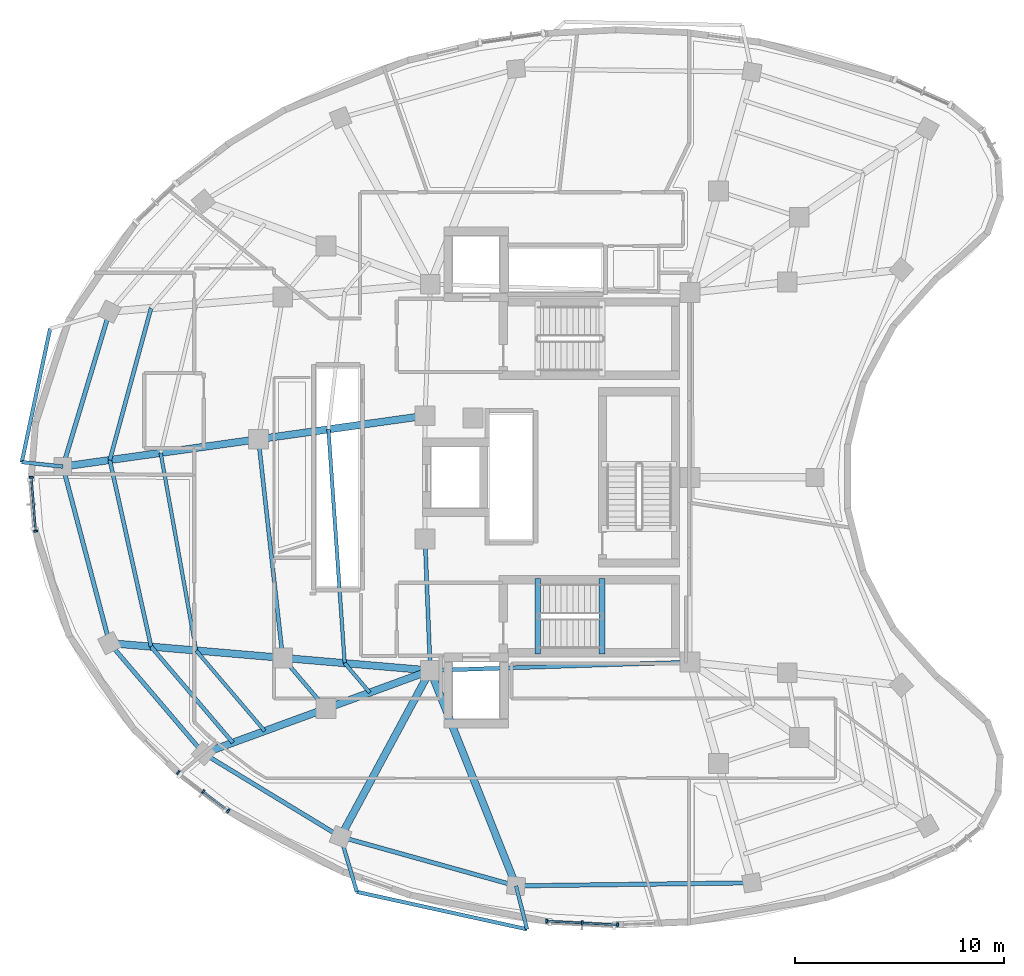
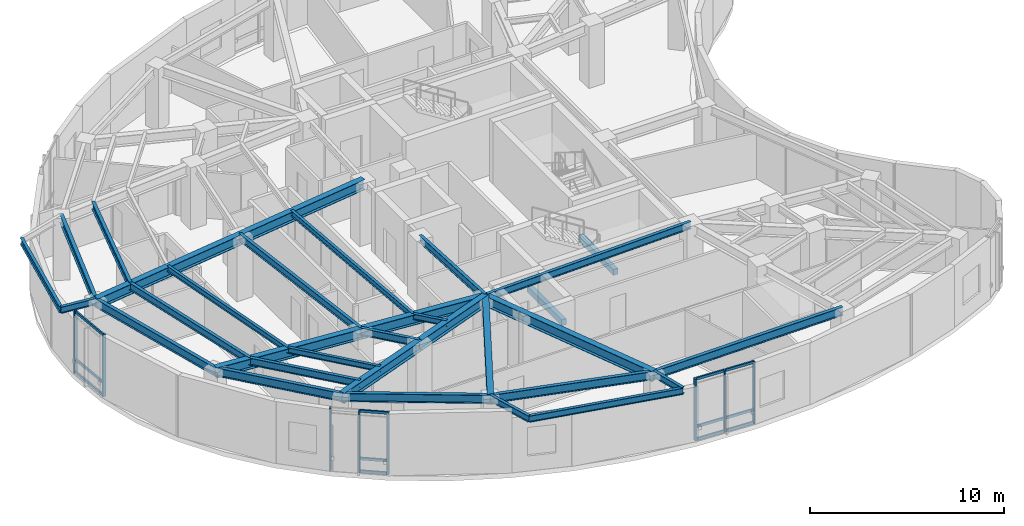
# One storey, part 2 of 13: 32 beams, 20 members, 3 elements without a shape of their own.
"""IFC4 building model written with IfcOpenShell, lengths in metres."""

from ifc_helpers import new_model, si_unit, direction, frame, origin, origin_2d, place, context, subcontext, project, spatial, rectangle, i_section, extrude, material, layer, layer_set, material_profile, profile_set, type_object, element, aggregate, save


model = new_model("IFC4")

# Units and contexts
model_context = context("Model", 3, precision=1e-05, world=origin(), true_north=direction((0.0, 1.0)))
body_context = subcontext(model_context, "Body", "Model", "MODEL_VIEW")
ifc_project = project(units=[si_unit("LENGTHUNIT", "METRE"), si_unit("AREAUNIT", "SQUARE_METRE"), si_unit("VOLUMEUNIT", "CUBIC_METRE"), si_unit("PLANEANGLEUNIT", "RADIAN"), si_unit("MASSUNIT", "GRAM", prefix="KILO")], contexts=[model_context])

# Site, building, storey
site_placement = place(None, origin())
site = spatial("IfcSite", under=ifc_project, at=site_placement, CompositionType="ELEMENT")
building_placement = place(site_placement, origin())
building = spatial("IfcBuilding", under=site, at=building_placement, Name="Korentha Bioscience Tower", CompositionType="ELEMENT")
storey_placement = place(building_placement, frame((0.0, 0.0, 243.60009765625)))
storey = spatial("IfcBuildingStorey", under=building, at=storey_placement, Name="L56", CompositionType="ELEMENT", Elevation=243.60009765625)

# Beams
ifc_material_1 = material(Name="Concrete C50", Category="concrete")
ifc_material_profile_1 = material_profile(ifc_material_1, rectangle(XDim=0.280029296875, YDim=0.3798828125, at=origin_2d()), Name="Concrete C50")
ifc_profile_set_1 = profile_set([ifc_material_profile_1], Name="Concrete C50 (ST-HB380)")
beam_type_1 = type_object("IfcBeamType", Name="Concrete Stair Header Beam RC 280x380", PredefinedType="BEAM", material=ifc_profile_set_1)
for number, where, z_axis, x_axis, name in (
    (1, (30.25, 18.550048828125, -0.190185546875), (0.0, 1.0, 0.0), (-1.0, 0.0, 0.0), "L56 ST-2 Concrete Stair Header Beam"),
    (2, (33.330078125, 18.550048828125, 1.909912109375), (0.0, 1.0, 0.0), (-1.0, 0.0, 0.0), "L56 ST-2 Half-Landing Header Beam 1"),
):
    element("IfcBeam", number, at=place(storey_placement, frame(where, z_axis=z_axis, x_axis=x_axis)), inside=storey, type_object=beam_type_1, Name=name, PredefinedType="BEAM", context=body_context, shape_type="SweptSolid", body=[
        extrude(rectangle(XDim=0.280029296875, YDim=0.3798828125, at=origin_2d()), origin(), (0.0, 0.0, 1.0), 3.599853515625),
    ])
ifc_material_2 = material(Name="Steel S355", Category="steel")
ifc_material_profile_2 = material_profile(ifc_material_2, i_section(OverallWidth=0.18994140625, OverallDepth=0.45703125, WebThickness=0.009033203125, FlangeThickness=0.014404296875, at=origin_2d()), Name="Steel S355")
ifc_profile_set_2 = profile_set([ifc_material_profile_2], Name="Steel S355 (MB-460)")
beam_type_2 = type_object("IfcBeamType", Name="Mid-Ring Tie Girder W460x74", PredefinedType="BEAM", material=ifc_profile_set_2)
beam_1_placement = place(storey_placement, frame((16.868408203125, 28.830322265625, 3.67138671875), z_axis=(0.110304435267, -0.993897847649, 0.0), x_axis=(0.993897847649, 0.110304435267, 0.0)))
element("IfcBeam", 3, at=beam_1_placement, inside=storey, type_object=beam_type_2, Name="L56 Mid-Ring Tie Girder 07", PredefinedType="BEAM", context=body_context, shape_type="SweptSolid", body=[
    extrude(i_section(OverallWidth=0.18994140625, OverallDepth=0.45703125, WebThickness=0.009033203125, FlangeThickness=0.014404296875, at=origin_2d()), origin(), (0.0, 0.0, 1.0), 10.5419921875),
])
beam_2_placement = place(storey_placement, frame((18.03125, 18.3525390625, 3.67138671875), z_axis=(0.648477940418, -0.761233446974, 0.0), x_axis=(0.761233446974, 0.648477940418, 0.0)))
element("IfcBeam", 4, at=beam_2_placement, inside=storey, type_object=beam_type_2, Name="L56 Mid-Ring Tie Girder 08", PredefinedType="BEAM", context=body_context, shape_type="SweptSolid", body=[
    extrude(i_section(OverallWidth=0.18994140625, OverallDepth=0.45703125, WebThickness=0.009033203125, FlangeThickness=0.014404296875, at=origin_2d()), origin(), (0.0, 0.0, 1.0), 3.193603515625),
])
beam_3_placement = place(storey_placement, frame((24.85009765625, 24.050048828125, 3.67138671875), z_axis=(0.039651025576, -0.999213588864, 0.0), x_axis=(0.999213588864, 0.039651025576, 0.0)))
element("IfcBeam", 5, at=beam_3_placement, inside=storey, type_object=beam_type_2, Name="L56 Core Ring Tie Girder 04", PredefinedType="BEAM", context=body_context, shape_type="SweptSolid", body=[
    extrude(i_section(OverallWidth=0.18994140625, OverallDepth=0.45703125, WebThickness=0.009033203125, FlangeThickness=0.014404296875, at=origin_2d()), origin(), (0.0, 0.0, 1.0), 6.304931640625),
])
beam_4_placement = place(storey_placement, frame((25.10009765625, 17.75, 3.67138671875), z_axis=(0.999484526071, 0.032104238723, 0.0), x_axis=(-0.032104238723, 0.999484526071, 0.0)))
element("IfcBeam", 6, at=beam_4_placement, inside=storey, type_object=beam_type_2, Name="L56 Core Ring Tie Girder 05", PredefinedType="BEAM", context=body_context, shape_type="SweptSolid", body=[
    extrude(i_section(OverallWidth=0.18994140625, OverallDepth=0.45703125, WebThickness=0.009033203125, FlangeThickness=0.014404296875, at=origin_2d()), origin(), (0.0, 0.0, 1.0), 12.456298828125),
])

# Curtain wall, members
ifc_material_3 = material(Name="Thermally Broken Aluminium Frame", Category="aluminium")
ifc_layer = layer(ifc_material_3, 0.219970703125, Name="Thermally Broken Aluminium Frame")
ifc_layer_set = layer_set([ifc_layer], Name="Thermally Broken Aluminium Frame (CW-T2)")
curtain_wall_type = type_object("IfcCurtainWallType", Name="Solar-Screened Lab Unitised Curtain Wall CW-T2", PredefinedType="USERDEFINED", material=ifc_layer_set)
curtain_wall_1_placement = place(storey_placement, origin())
curtain_wall_1 = element("IfcCurtainWall", 7, at=curtain_wall_1_placement, inside=storey, type_object=curtain_wall_type, Name="L56 Curtain Wall 19", ObjectType="UNITISED", PredefinedType="USERDEFINED")
ifc_material_4 = material(Name="Anodised Aluminium 6063-T6", Category="aluminium")
ifc_material_profile_3 = material_profile(ifc_material_4, rectangle(XDim=0.090087890625, YDim=0.199951171875, at=origin_2d()), Name="Anodised Aluminium 6063-T6")
ifc_profile_set_3 = profile_set([ifc_material_profile_3], Name="Anodised Aluminium 6063-T6 (CW-MUL)")
member_type_1 = type_object("IfcMemberType", Name="Mullion RECT 90x200", PredefinedType="MULLION", material=ifc_profile_set_3)
member_1_placement = place(storey_placement, frame((5.992919921875, 27.0078125, 0.0), z_axis=(0.0, 0.0, 1.0), x_axis=(0.079117478884, -0.996865299093, 0.0)))
member_1 = element("IfcMember", 8, at=member_1_placement, type_object=member_type_1, Name="CW-L56-19 Mullion 1", PredefinedType="MULLION", context=body_context, shape_type="SweptSolid", body=[
    extrude(rectangle(XDim=0.090087890625, YDim=0.199951171875, at=origin_2d()), origin(), (0.0, 0.0, 1.0), 3.89990234375),
])
member_2_placement = place(storey_placement, frame((6.197509765625, 24.427490234375, 0.0), z_axis=(0.0, 0.0, 1.0), x_axis=(0.079117478884, -0.996865299093, 0.0)))
member_2 = element("IfcMember", 9, at=member_2_placement, type_object=member_type_1, Name="CW-L56-19 Mullion 2", PredefinedType="MULLION", context=body_context, shape_type="SweptSolid", body=[
    extrude(rectangle(XDim=0.090087890625, YDim=0.199951171875, at=origin_2d()), origin(), (0.0, 0.0, 1.0), 3.89990234375),
])

curtain_wall_2_placement = place(storey_placement, origin())
curtain_wall_2 = element("IfcCurtainWall", 10, at=curtain_wall_2_placement, inside=storey, type_object=curtain_wall_type, Name="L56 Curtain Wall 25", ObjectType="UNITISED", PredefinedType="USERDEFINED")
member_3_placement = place(storey_placement, frame((13.0244140625, 12.862548828125, 0.0), z_axis=(0.0, 0.0, 1.0), x_axis=(0.794382455982, -0.607417906904, 0.0)))
member_3 = element("IfcMember", 11, at=member_3_placement, type_object=member_type_1, Name="CW-L56-25 Mullion 1", PredefinedType="MULLION", context=body_context, shape_type="SweptSolid", body=[
    extrude(rectangle(XDim=0.090087890625, YDim=0.199951171875, at=origin_2d()), origin(), (0.0, 0.0, 1.0), 3.89990234375),
])
member_4_placement = place(storey_placement, frame((14.224853515625, 11.944580078125, 0.0), z_axis=(0.0, 0.0, 1.0), x_axis=(0.794382455982, -0.607417906904, 0.0)))
member_4 = element("IfcMember", 12, at=member_4_placement, type_object=member_type_1, Name="CW-L56-25 Mullion 2", PredefinedType="MULLION", context=body_context, shape_type="SweptSolid", body=[
    extrude(rectangle(XDim=0.090087890625, YDim=0.199951171875, at=origin_2d()), origin(), (0.0, 0.0, 1.0), 3.89990234375),
])
member_5_placement = place(storey_placement, frame((15.42529296875, 11.026611328125, 0.0), z_axis=(0.0, 0.0, 1.0), x_axis=(0.794382455982, -0.607417906904, 0.0)))
member_5 = element("IfcMember", 13, at=member_5_placement, type_object=member_type_1, Name="CW-L56-25 Mullion 3", PredefinedType="MULLION", context=body_context, shape_type="SweptSolid", body=[
    extrude(rectangle(XDim=0.090087890625, YDim=0.199951171875, at=origin_2d()), origin(), (0.0, 0.0, 1.0), 3.89990234375),
])

curtain_wall_3_placement = place(storey_placement, origin())
curtain_wall_3 = element("IfcCurtainWall", 14, at=curtain_wall_3_placement, inside=storey, type_object=curtain_wall_type, Name="L56 Curtain Wall 31", ObjectType="UNITISED", PredefinedType="USERDEFINED")
member_6_placement = place(storey_placement, frame((30.67431640625, 5.7421875, 0.0), z_axis=(0.0, 0.0, 1.0), x_axis=(0.998671032258, -0.051538037689, 0.0)))
member_6 = element("IfcMember", 15, at=member_6_placement, type_object=member_type_1, Name="CW-L56-31 Mullion 1", PredefinedType="MULLION", context=body_context, shape_type="SweptSolid", body=[
    extrude(rectangle(XDim=0.090087890625, YDim=0.199951171875, at=origin_2d()), origin(), (0.0, 0.0, 1.0), 3.89990234375),
])
member_7_placement = place(storey_placement, frame((32.37548828125, 5.654296875, 0.0), z_axis=(0.0, 0.0, 1.0), x_axis=(0.998671032258, -0.051538037689, 0.0)))
member_7 = element("IfcMember", 16, at=member_7_placement, type_object=member_type_1, Name="CW-L56-31 Mullion 2", PredefinedType="MULLION", context=body_context, shape_type="SweptSolid", body=[
    extrude(rectangle(XDim=0.090087890625, YDim=0.199951171875, at=origin_2d()), origin(), (0.0, 0.0, 1.0), 3.89990234375),
])
member_8_placement = place(storey_placement, frame((34.076416015625, 5.566650390625, 0.0), z_axis=(0.0, 0.0, 1.0), x_axis=(0.998671032258, -0.051538037689, 0.0)))
member_8 = element("IfcMember", 17, at=member_8_placement, type_object=member_type_1, Name="CW-L56-31 Mullion 3", PredefinedType="MULLION", context=body_context, shape_type="SweptSolid", body=[
    extrude(rectangle(XDim=0.090087890625, YDim=0.199951171875, at=origin_2d()), origin(), (0.0, 0.0, 1.0), 3.89990234375),
])

# Beams
ifc_material_profile_4 = material_profile(ifc_material_2, i_section(OverallWidth=0.208984375, OverallDepth=0.532958984375, WebThickness=0.01025390625, FlangeThickness=0.015625, at=origin_2d()), Name="Steel S355")
ifc_profile_set_4 = profile_set([ifc_material_profile_4], Name="Steel S355 (SB-530)")
beam_type_3 = type_object("IfcBeamType", Name="Perimeter Ring Spandrel Girder W530x92", PredefinedType="SPANDREL", material=ifc_profile_set_4)
beam_5_placement = place(storey_placement, frame((9.7333984375, 34.93994140625, 3.63330078125), z_axis=(-0.288202931469, -0.957569355343, 0.0), x_axis=(0.957569355343, -0.288202931469, 0.0)))
element("IfcBeam", 18, at=beam_5_placement, inside=storey, type_object=beam_type_3, Name="L56 Perimeter Spandrel Girder 06", PredefinedType="SPANDREL", context=body_context, shape_type="SweptSolid", body=[
    extrude(i_section(OverallWidth=0.208984375, OverallDepth=0.532958984375, WebThickness=0.01025390625, FlangeThickness=0.015625, at=origin_2d()), origin(), (0.0, 0.0, 1.0), 7.752685546875),
])
beam_6_placement = place(storey_placement, frame((7.4990234375, 27.51611328125, 3.63330078125), z_axis=(0.255465954873, -0.966818052118, 0.0), x_axis=(0.966818052118, 0.255465954873, 0.0)))
element("IfcBeam", 19, at=beam_6_placement, inside=storey, type_object=beam_type_3, Name="L56 Perimeter Spandrel Girder 07", PredefinedType="SPANDREL", context=body_context, shape_type="SweptSolid", body=[
    extrude(i_section(OverallWidth=0.208984375, OverallDepth=0.532958984375, WebThickness=0.01025390625, FlangeThickness=0.015625, at=origin_2d()), origin(), (0.0, 0.0, 1.0), 8.746337890625),
])
beam_7_placement = place(storey_placement, frame((9.7333984375, 19.06005859375, 3.63330078125), z_axis=(0.648430983047, -0.76127344642, 0.0), x_axis=(0.76127344642, 0.648430983047, 0.0)))
element("IfcBeam", 20, at=beam_7_placement, inside=storey, type_object=beam_type_3, Name="L56 Perimeter Spandrel Girder 08", PredefinedType="SPANDREL", context=body_context, shape_type="SweptSolid", body=[
    extrude(i_section(OverallWidth=0.208984375, OverallDepth=0.532958984375, WebThickness=0.01025390625, FlangeThickness=0.015625, at=origin_2d()), origin(), (0.0, 0.0, 1.0), 6.94287109375),
])
beam_8_placement = place(storey_placement, frame((14.2353515625, 13.774658203125, 3.63330078125), z_axis=(0.854346933574, -0.519703104755, 0.0), x_axis=(0.519703104755, 0.854346933574, 0.0)))
element("IfcBeam", 21, at=beam_8_placement, inside=storey, type_object=beam_type_3, Name="L56 Perimeter Spandrel Girder 09", PredefinedType="SPANDREL", context=body_context, shape_type="SweptSolid", body=[
    extrude(i_section(OverallWidth=0.208984375, OverallDepth=0.532958984375, WebThickness=0.01025390625, FlangeThickness=0.015625, at=origin_2d()), origin(), (0.0, 0.0, 1.0), 7.687255859375),
])
beam_9_placement = place(storey_placement, frame((20.802978515625, 9.779541015625, 3.63330078125), z_axis=(0.963069388381, -0.269253325258, 0.0), x_axis=(0.269253325258, 0.963069388381, 0.0)))
element("IfcBeam", 22, at=beam_9_placement, inside=storey, type_object=beam_type_3, Name="L56 Perimeter Spandrel Girder 10", PredefinedType="SPANDREL", context=body_context, shape_type="SweptSolid", body=[
    extrude(i_section(OverallWidth=0.208984375, OverallDepth=0.532958984375, WebThickness=0.01025390625, FlangeThickness=0.015625, at=origin_2d()), origin(), (0.0, 0.0, 1.0), 8.72900390625),
])
beam_10_placement = place(storey_placement, frame((29.209716796875, 7.42919921875, 3.63330078125), z_axis=(0.999915413236, 0.013006397415, 0.0), x_axis=(-0.013006397415, 0.999915413236, 0.0)))
element("IfcBeam", 23, at=beam_10_placement, inside=storey, type_object=beam_type_3, Name="L56 Perimeter Spandrel Girder 11", PredefinedType="SPANDREL", context=body_context, shape_type="SweptSolid", body=[
    extrude(i_section(OverallWidth=0.208984375, OverallDepth=0.532958984375, WebThickness=0.01025390625, FlangeThickness=0.015625, at=origin_2d()), origin(), (0.0, 0.0, 1.0), 11.300048828125),
])
ifc_material_profile_5 = material_profile(ifc_material_2, i_section(OverallWidth=0.18994140625, OverallDepth=0.45703125, WebThickness=0.009033203125, FlangeThickness=0.014404296875, at=origin_2d()), Name="Steel S355")
ifc_profile_set_5 = profile_set([ifc_material_profile_5], Name="Steel S355 (RB-460)")
beam_type_4 = type_object("IfcBeamType", Name="Radial Laboratory Beam W460x74", PredefinedType="BEAM", material=ifc_profile_set_5)
beam_11_placement = place(storey_placement, frame((11.724853515625, 35.109619140625, 3.67138671875), z_axis=(-0.262144880331, -0.965028528965, 0.0), x_axis=(0.965028528965, -0.262144880331, 0.0)))
element("IfcBeam", 24, at=beam_11_placement, inside=storey, type_object=beam_type_4, Name="L56 Secondary Floor Beam JSTO-06", PredefinedType="BEAM", context=body_context, shape_type="SweptSolid", body=[
    extrude(i_section(OverallWidth=0.18994140625, OverallDepth=0.45703125, WebThickness=0.009033203125, FlangeThickness=0.014404296875, at=origin_2d()), origin(), (0.0, 0.0, 1.0), 7.541748046875),
])
beam_12_placement = place(storey_placement, frame((9.747802734375, 27.83154296875, 3.67138671875), z_axis=(0.215902781795, -0.976414865113, 0.0), x_axis=(0.976414865113, 0.215902781795, 0.0)))
element("IfcBeam", 25, at=beam_12_placement, inside=storey, type_object=beam_type_4, Name="L56 Secondary Floor Beam JSTO-07", PredefinedType="BEAM", context=body_context, shape_type="SweptSolid", body=[
    extrude(i_section(OverallWidth=0.18994140625, OverallDepth=0.45703125, WebThickness=0.009033203125, FlangeThickness=0.014404296875, at=origin_2d()), origin(), (0.0, 0.0, 1.0), 9.1572265625),
])
beam_13_placement = place(storey_placement, frame((11.724853515625, 18.890380859375, 3.67138671875), z_axis=(0.64841269497, -0.761289023303, 0.0), x_axis=(0.761289023303, 0.64841269497, 0.0)))
element("IfcBeam", 26, at=beam_13_placement, inside=storey, type_object=beam_type_4, Name="L56 Secondary Floor Beam JSTO-08", PredefinedType="BEAM", context=body_context, shape_type="SweptSolid", body=[
    extrude(i_section(OverallWidth=0.18994140625, OverallDepth=0.45703125, WebThickness=0.009033203125, FlangeThickness=0.014404296875, at=origin_2d()), origin(), (0.0, 0.0, 1.0), 6.043212890625),
])
ifc_material_profile_6 = material_profile(ifc_material_2, i_section(OverallWidth=0.35009765625, OverallDepth=0.64990234375, WebThickness=0.01611328125, FlangeThickness=0.02490234375, at=origin_2d()), Name="Steel S355")
ifc_profile_set_6 = profile_set([ifc_material_profile_6], Name="Steel S355 (RB-650)")
beam_type_5 = type_object("IfcBeamType", Name="Radial Laboratory Girder CVS 650x208", PredefinedType="BEAM", material=ifc_profile_set_6)
beam_14_placement = place(storey_placement, frame((24.85009765625, 29.949951171875, 3.574951171875), z_axis=(-0.990304360925, -0.138914623901, 0.0), x_axis=(0.138914623901, -0.990304360925, 0.0)))
element("IfcBeam", 27, at=beam_14_placement, inside=storey, type_object=beam_type_5, Name="L56 Inner Radial Girder 07", PredefinedType="BEAM", context=body_context, shape_type="SweptSolid", body=[
    extrude(i_section(OverallWidth=0.35009765625, OverallDepth=0.64990234375, WebThickness=0.01611328125, FlangeThickness=0.02490234375, at=origin_2d()), origin(), (0.0, 0.0, 1.0), 8.059814453125),
])
beam_15_placement = place(storey_placement, frame((16.868408203125, 28.830322265625, 3.574951171875), z_axis=(-0.990305501334, -0.138906493829, 0.0), x_axis=(0.138906493829, -0.990305501334, 0.0)))
element("IfcBeam", 28, at=beam_15_placement, inside=storey, type_object=beam_type_5, Name="L56 Outer Radial Girder 07", PredefinedType="BEAM", context=body_context, shape_type="SweptSolid", body=[
    extrude(i_section(OverallWidth=0.35009765625, OverallDepth=0.64990234375, WebThickness=0.01611328125, FlangeThickness=0.02490234375, at=origin_2d()), origin(), (0.0, 0.0, 1.0), 9.461181640625),
])
beam_16_placement = place(storey_placement, frame((25.10009765625, 17.75, 3.574951171875), z_axis=(-0.996386862802, 0.084930675464, 0.0), x_axis=(-0.084930675464, -0.996386862802, 0.0)))
element("IfcBeam", 29, at=beam_16_placement, inside=storey, type_object=beam_type_5, Name="L56 Inner Radial Girder 08", PredefinedType="BEAM", context=body_context, shape_type="SweptSolid", body=[
    extrude(i_section(OverallWidth=0.35009765625, OverallDepth=0.64990234375, WebThickness=0.01611328125, FlangeThickness=0.02490234375, at=origin_2d()), origin(), (0.0, 0.0, 1.0), 7.094482421875),
])
beam_17_placement = place(storey_placement, frame((18.03125, 18.3525390625, 3.574951171875), z_axis=(-0.996384608351, 0.084957120013, 0.0), x_axis=(-0.084957120013, -0.996384608351, 0.0)))
element("IfcBeam", 30, at=beam_17_placement, inside=storey, type_object=beam_type_5, Name="L56 Outer Radial Girder 08", PredefinedType="BEAM", context=body_context, shape_type="SweptSolid", body=[
    extrude(i_section(OverallWidth=0.35009765625, OverallDepth=0.64990234375, WebThickness=0.01611328125, FlangeThickness=0.02490234375, at=origin_2d()), origin(), (0.0, 0.0, 1.0), 8.327880859375),
])
beam_18_placement = place(storey_placement, frame((25.10009765625, 17.75, 3.574951171875), z_axis=(-0.939113825958, -0.34360620177, 0.0), x_axis=(0.34360620177, -0.939113825958, 0.0)))
element("IfcBeam", 31, at=beam_18_placement, inside=storey, type_object=beam_type_5, Name="L56 Inner Radial Girder 09", PredefinedType="BEAM", context=body_context, shape_type="SweptSolid", body=[
    extrude(i_section(OverallWidth=0.35009765625, OverallDepth=0.64990234375, WebThickness=0.01611328125, FlangeThickness=0.02490234375, at=origin_2d()), origin(), (0.0, 0.0, 1.0), 5.32177734375),
])
beam_19_placement = place(storey_placement, frame((20.102294921875, 15.92138671875, 3.574951171875), z_axis=(-0.939108088977, -0.343621881169, 0.0), x_axis=(0.343621881169, -0.939108088977, 0.0)))
element("IfcBeam", 32, at=beam_19_placement, inside=storey, type_object=beam_type_5, Name="L56 Outer Radial Girder 09", PredefinedType="BEAM", context=body_context, shape_type="SweptSolid", body=[
    extrude(i_section(OverallWidth=0.35009765625, OverallDepth=0.64990234375, WebThickness=0.01611328125, FlangeThickness=0.02490234375, at=origin_2d()), origin(), (0.0, 0.0, 1.0), 6.247314453125),
])
beam_20_placement = place(storey_placement, frame((25.10009765625, 17.75, 3.574951171875), z_axis=(-0.47455638006, -0.88022510879, 0.0), x_axis=(0.88022510879, -0.47455638006, 0.0)))
element("IfcBeam", 33, at=beam_20_placement, inside=storey, type_object=beam_type_5, Name="L56 Radial Girder 10", PredefinedType="BEAM", context=body_context, shape_type="SweptSolid", body=[
    extrude(i_section(OverallWidth=0.35009765625, OverallDepth=0.64990234375, WebThickness=0.01611328125, FlangeThickness=0.02490234375, at=origin_2d()), origin(), (0.0, 0.0, 1.0), 9.054931640625),
])
beam_21_placement = place(storey_placement, frame((25.10009765625, 17.75, 3.574951171875), z_axis=(0.369938982304, -0.929056052869, 0.0), x_axis=(0.929056052869, 0.369938982304, 0.0)))
element("IfcBeam", 34, at=beam_21_placement, inside=storey, type_object=beam_type_5, Name="L56 Radial Girder 11", PredefinedType="BEAM", context=body_context, shape_type="SweptSolid", body=[
    extrude(i_section(OverallWidth=0.35009765625, OverallDepth=0.64990234375, WebThickness=0.01611328125, FlangeThickness=0.02490234375, at=origin_2d()), origin(), (0.0, 0.0, 1.0), 11.10888671875),
])
ifc_material_profile_7 = material_profile(ifc_material_2, i_section(OverallWidth=0.1708984375, OverallDepth=0.35498046875, WebThickness=0.007080078125, FlangeThickness=0.01171875, at=origin_2d()), Name="Steel S355")
ifc_profile_set_7 = profile_set([ifc_material_profile_7], Name="Steel S355 (JB-360)")
beam_type_6 = type_object("IfcBeamType", Name="Secondary Laboratory Joist W360x51", PredefinedType="JOIST", material=ifc_profile_set_7)
beam_22_placement = place(storey_placement, frame((12.18359375, 28.17333984375, 3.722412109375), z_axis=(0.176615511364, -0.984279920117, 0.0), x_axis=(0.984279920117, 0.176615511364, 0.0)))
element("IfcBeam", 35, at=beam_22_placement, inside=storey, type_object=beam_type_6, Name="L56 Secondary Floor Beam JST-07", PredefinedType="JOIST", context=body_context, shape_type="SweptSolid", body=[
    extrude(i_section(OverallWidth=0.1708984375, OverallDepth=0.35498046875, WebThickness=0.007080078125, FlangeThickness=0.01171875, at=origin_2d()), origin(), (0.0, 0.0, 1.0), 9.6181640625),
])
beam_23_placement = place(storey_placement, frame((20.220703125, 29.300537109375, 3.722412109375), z_axis=(0.069428172823, -0.997586953011, 0.0), x_axis=(0.997586953011, 0.069428172823, 0.0)))
element("IfcBeam", 36, at=beam_23_placement, inside=storey, type_object=beam_type_6, Name="L56 Inner Bay Joist 07", PredefinedType="JOIST", context=body_context, shape_type="SweptSolid", body=[
    extrude(i_section(OverallWidth=0.1708984375, OverallDepth=0.35498046875, WebThickness=0.007080078125, FlangeThickness=0.01171875, at=origin_2d()), origin(), (0.0, 0.0, 1.0), 11.22802734375),
])
beam_24_placement = place(storey_placement, frame((13.88232421875, 18.706298828125, 3.722412109375), z_axis=(0.648419930644, -0.761282860404, 0.0), x_axis=(0.761282860404, 0.648419930644, 0.0)))
element("IfcBeam", 37, at=beam_24_placement, inside=storey, type_object=beam_type_6, Name="L56 Secondary Floor Beam JST-08", PredefinedType="JOIST", context=body_context, shape_type="SweptSolid", body=[
    extrude(i_section(OverallWidth=0.1708984375, OverallDepth=0.35498046875, WebThickness=0.007080078125, FlangeThickness=0.01171875, at=origin_2d()), origin(), (0.0, 0.0, 1.0), 5.068359375),
])
beam_25_placement = place(storey_placement, frame((21.000244140625, 18.099609375, 3.722412109375), z_axis=(0.648443825531, -0.761262507372, 0.0), x_axis=(0.761262507372, 0.648443825531, 0.0)))
element("IfcBeam", 38, at=beam_25_placement, inside=storey, type_object=beam_type_6, Name="L56 Inner Bay Joist 08", PredefinedType="JOIST", context=body_context, shape_type="SweptSolid", body=[
    extrude(i_section(OverallWidth=0.1708984375, OverallDepth=0.35498046875, WebThickness=0.007080078125, FlangeThickness=0.01171875, at=origin_2d()), origin(), (0.0, 0.0, 1.0), 1.852294921875),
])
ifc_material_profile_8 = material_profile(ifc_material_2, i_section(OverallWidth=0.177978515625, OverallDepth=0.406982421875, WebThickness=0.0078125, FlangeThickness=0.0126953125, at=origin_2d()), Name="Steel S355")
ifc_profile_set_8 = profile_set([ifc_material_profile_8], Name="Steel S355 (CB-410)")
beam_type_7 = type_object("IfcBeamType", Name="Sun-Ledge Cantilever Beam W410x60", PredefinedType="BEAM", material=ifc_profile_set_8)
beam_26_placement = place(storey_placement, frame((7.4990234375, 27.51611328125, 3.698486328125), z_axis=(-0.994021373123, 0.109185666528, 0.0), x_axis=(-0.109185666528, -0.994021373123, 0.0)))
element("IfcBeam", 39, at=beam_26_placement, inside=storey, type_object=beam_type_7, Name="L56 Balcony Cantilever Bracket B-L57-02", PredefinedType="BEAM", context=body_context, shape_type="SweptSolid", body=[
    extrude(i_section(OverallWidth=0.177978515625, OverallDepth=0.406982421875, WebThickness=0.0078125, FlangeThickness=0.0126953125, at=origin_2d()), origin(), (0.0, 0.0, 1.0), 1.978759765625),
])
beam_27_placement = place(storey_placement, frame((6.888671875, 34.127197265625, 3.698486328125), z_axis=(-0.207529116247, -0.978228841279, 0.0), x_axis=(0.978228841279, -0.207529116247, 0.0)))
element("IfcBeam", 40, at=beam_27_placement, inside=storey, type_object=beam_type_7, Name="L56 Balcony Edge Trimmer Beam L57-02", PredefinedType="BEAM", context=body_context, shape_type="SweptSolid", body=[
    extrude(i_section(OverallWidth=0.177978515625, OverallDepth=0.406982421875, WebThickness=0.0078125, FlangeThickness=0.0126953125, at=origin_2d()), origin(), (0.0, 0.0, 1.0), 6.537353515625),
])
beam_28_placement = place(storey_placement, frame((20.802978515625, 9.779541015625, 3.698486328125), z_axis=(0.283804290683, -0.958882226652, 0.0), x_axis=(0.958882226652, 0.283804290683, 0.0)))
element("IfcBeam", 41, at=beam_28_placement, inside=storey, type_object=beam_type_7, Name="L56 Balcony Cantilever Bracket A-L57-03", PredefinedType="BEAM", context=body_context, shape_type="SweptSolid", body=[
    extrude(i_section(OverallWidth=0.177978515625, OverallDepth=0.406982421875, WebThickness=0.0078125, FlangeThickness=0.0126953125, at=origin_2d()), origin(), (0.0, 0.0, 1.0), 2.7509765625),
])
beam_29_placement = place(storey_placement, frame((29.209716796875, 7.42919921875, 3.698486328125), z_axis=(0.245589889491, -0.969373821691, 0.0), x_axis=(0.969373821691, 0.245589889491, 0.0)))
element("IfcBeam", 42, at=beam_29_placement, inside=storey, type_object=beam_type_7, Name="L56 Balcony Cantilever Bracket B-L57-03", PredefinedType="BEAM", context=body_context, shape_type="SweptSolid", body=[
    extrude(i_section(OverallWidth=0.177978515625, OverallDepth=0.406982421875, WebThickness=0.0078125, FlangeThickness=0.0126953125, at=origin_2d()), origin(), (0.0, 0.0, 1.0), 2.143310546875),
])
beam_30_placement = place(storey_placement, frame((21.583740234375, 7.1416015625, 3.698486328125), z_axis=(0.976731791352, -0.214464467363, 0.0), x_axis=(0.214464467363, 0.976731791352, 0.0)))
element("IfcBeam", 43, at=beam_30_placement, inside=storey, type_object=beam_type_7, Name="L56 Balcony Edge Trimmer Beam L57-03", PredefinedType="BEAM", context=body_context, shape_type="SweptSolid", body=[
    extrude(i_section(OverallWidth=0.177978515625, OverallDepth=0.406982421875, WebThickness=0.0078125, FlangeThickness=0.0126953125, at=origin_2d()), origin(), (0.0, 0.0, 1.0), 8.346435546875),
])

# Member
ifc_material_profile_9 = material_profile(ifc_material_4, rectangle(XDim=0.090087890625, YDim=0.159912109375, at=origin_2d()), Name="Anodised Aluminium 6063-T6")
ifc_profile_set_9 = profile_set([ifc_material_profile_9], Name="Anodised Aluminium 6063-T6 (CW-TRN)")
member_type_2 = type_object("IfcMemberType", Name="Transom RECT 90x160", PredefinedType="USERDEFINED", material=ifc_profile_set_9)
member_9_placement = place(storey_placement, frame((5.996337890625, 26.962890625, 0.044921875), z_axis=(0.079154836788, -0.996862333431, 0.0), x_axis=(0.996862333431, 0.079154836788, 0.0)))
member_9 = element("IfcMember", 44, at=member_9_placement, type_object=member_type_2, Name="CW-L56-19 Bay 1 Transom 1", ObjectType="TRANSOM", PredefinedType="USERDEFINED", context=body_context, shape_type="SweptSolid", body=[
    extrude(rectangle(XDim=0.090087890625, YDim=0.159912109375, at=origin_2d()), origin(), (0.0, 0.0, 1.0), 2.498291015625),
])

member_10_placement = place(storey_placement, frame((5.996337890625, 26.962890625, 0.849853515625), z_axis=(0.079154836788, -0.996862333431, 0.0), x_axis=(0.996862333431, 0.079154836788, 0.0)))
member_10 = element("IfcMember", 45, at=member_10_placement, type_object=member_type_2, Name="CW-L56-19 Bay 1 Transom 2", ObjectType="TRANSOM", PredefinedType="USERDEFINED", context=body_context, shape_type="SweptSolid", body=[
    extrude(rectangle(XDim=0.090087890625, YDim=0.159912109375, at=origin_2d()), origin(), (0.0, 0.0, 1.0), 2.498291015625),
])

member_11_placement = place(storey_placement, frame((5.996337890625, 26.962890625, 3.85498046875), z_axis=(0.079154836788, -0.996862333431, 0.0), x_axis=(0.996862333431, 0.079154836788, 0.0)))
member_11 = element("IfcMember", 46, at=member_11_placement, type_object=member_type_2, Name="CW-L56-19 Bay 1 Transom 3", ObjectType="TRANSOM", PredefinedType="USERDEFINED", context=body_context, shape_type="SweptSolid", body=[
    extrude(rectangle(XDim=0.090087890625, YDim=0.159912109375, at=origin_2d()), origin(), (0.0, 0.0, 1.0), 2.498291015625),
])

aggregate(curtain_wall_1, [member_1, member_2, member_9, member_10, member_11])

member_12_placement = place(storey_placement, frame((14.260498046875, 11.917236328125, 0.044921875), z_axis=(0.794440728622, -0.607341690242, 0.0), x_axis=(0.607341690242, 0.794440728622, 0.0)))
member_12 = element("IfcMember", 47, at=member_12_placement, type_object=member_type_2, Name="CW-L56-25 Bay 2 Transom 1", ObjectType="TRANSOM", PredefinedType="USERDEFINED", context=body_context, shape_type="SweptSolid", body=[
    extrude(rectangle(XDim=0.090087890625, YDim=0.159912109375, at=origin_2d()), origin(), (0.0, 0.0, 1.0), 1.4208984375),
])

member_13_placement = place(storey_placement, frame((14.260498046875, 11.917236328125, 0.849853515625), z_axis=(0.794440728622, -0.607341690242, 0.0), x_axis=(0.607341690242, 0.794440728622, 0.0)))
member_13 = element("IfcMember", 48, at=member_13_placement, type_object=member_type_2, Name="CW-L56-25 Bay 2 Transom 2", ObjectType="TRANSOM", PredefinedType="USERDEFINED", context=body_context, shape_type="SweptSolid", body=[
    extrude(rectangle(XDim=0.090087890625, YDim=0.159912109375, at=origin_2d()), origin(), (0.0, 0.0, 1.0), 1.4208984375),
])

member_14_placement = place(storey_placement, frame((14.260498046875, 11.917236328125, 3.85498046875), z_axis=(0.794440728622, -0.607341690242, 0.0), x_axis=(0.607341690242, 0.794440728622, 0.0)))
member_14 = element("IfcMember", 49, at=member_14_placement, type_object=member_type_2, Name="CW-L56-25 Bay 2 Transom 3", ObjectType="TRANSOM", PredefinedType="USERDEFINED", context=body_context, shape_type="SweptSolid", body=[
    extrude(rectangle(XDim=0.090087890625, YDim=0.159912109375, at=origin_2d()), origin(), (0.0, 0.0, 1.0), 1.4208984375),
])

aggregate(curtain_wall_2, [member_3, member_4, member_5, member_12, member_13, member_14])

member_15_placement = place(storey_placement, frame((30.719482421875, 5.739990234375, 0.044921875), z_axis=(0.998667541134, -0.051605641995, 0.0), x_axis=(0.051605641995, 0.998667541134, 0.0)))
member_15 = element("IfcMember", 50, at=member_15_placement, type_object=member_type_2, Name="CW-L56-31 Bay 1 Transom 1", ObjectType="TRANSOM", PredefinedType="USERDEFINED", context=body_context, shape_type="SweptSolid", body=[
    extrude(rectangle(XDim=0.090087890625, YDim=0.159912109375, at=origin_2d()), origin(), (0.0, 0.0, 1.0), 1.61328125),
])

member_16_placement = place(storey_placement, frame((30.719482421875, 5.739990234375, 0.849853515625), z_axis=(0.998667541134, -0.051605641995, 0.0), x_axis=(0.051605641995, 0.998667541134, 0.0)))
member_16 = element("IfcMember", 51, at=member_16_placement, type_object=member_type_2, Name="CW-L56-31 Bay 1 Transom 2", ObjectType="TRANSOM", PredefinedType="USERDEFINED", context=body_context, shape_type="SweptSolid", body=[
    extrude(rectangle(XDim=0.090087890625, YDim=0.159912109375, at=origin_2d()), origin(), (0.0, 0.0, 1.0), 1.61328125),
])

member_17_placement = place(storey_placement, frame((30.719482421875, 5.739990234375, 3.85498046875), z_axis=(0.998667541134, -0.051605641995, 0.0), x_axis=(0.051605641995, 0.998667541134, 0.0)))
member_17 = element("IfcMember", 52, at=member_17_placement, type_object=member_type_2, Name="CW-L56-31 Bay 1 Transom 3", ObjectType="TRANSOM", PredefinedType="USERDEFINED", context=body_context, shape_type="SweptSolid", body=[
    extrude(rectangle(XDim=0.090087890625, YDim=0.159912109375, at=origin_2d()), origin(), (0.0, 0.0, 1.0), 1.61328125),
])

member_18_placement = place(storey_placement, frame((32.42041015625, 5.652099609375, 0.044921875), z_axis=(0.998667541134, -0.051605641995, 0.0), x_axis=(0.051605641995, 0.998667541134, 0.0)))
member_18 = element("IfcMember", 53, at=member_18_placement, type_object=member_type_2, Name="CW-L56-31 Bay 2 Transom 1", ObjectType="TRANSOM", PredefinedType="USERDEFINED", context=body_context, shape_type="SweptSolid", body=[
    extrude(rectangle(XDim=0.090087890625, YDim=0.159912109375, at=origin_2d()), origin(), (0.0, 0.0, 1.0), 1.61328125),
])

member_19_placement = place(storey_placement, frame((32.42041015625, 5.652099609375, 0.849853515625), z_axis=(0.998667541134, -0.051605641995, 0.0), x_axis=(0.051605641995, 0.998667541134, 0.0)))
member_19 = element("IfcMember", 54, at=member_19_placement, type_object=member_type_2, Name="CW-L56-31 Bay 2 Transom 2", ObjectType="TRANSOM", PredefinedType="USERDEFINED", context=body_context, shape_type="SweptSolid", body=[
    extrude(rectangle(XDim=0.090087890625, YDim=0.159912109375, at=origin_2d()), origin(), (0.0, 0.0, 1.0), 1.61328125),
])

member_20_placement = place(storey_placement, frame((32.42041015625, 5.652099609375, 3.85498046875), z_axis=(0.998667541134, -0.051605641995, 0.0), x_axis=(0.051605641995, 0.998667541134, 0.0)))
member_20 = element("IfcMember", 55, at=member_20_placement, type_object=member_type_2, Name="CW-L56-31 Bay 2 Transom 3", ObjectType="TRANSOM", PredefinedType="USERDEFINED", context=body_context, shape_type="SweptSolid", body=[
    extrude(rectangle(XDim=0.090087890625, YDim=0.159912109375, at=origin_2d()), origin(), (0.0, 0.0, 1.0), 1.61328125),
])

aggregate(curtain_wall_3, [member_6, member_7, member_8, member_15, member_16, member_17, member_18, member_19, member_20])

save(model, "model.ifc")
